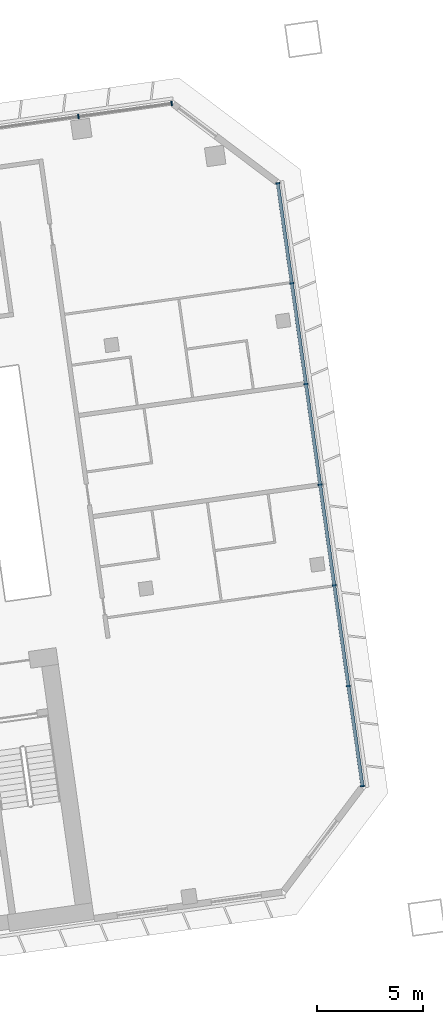
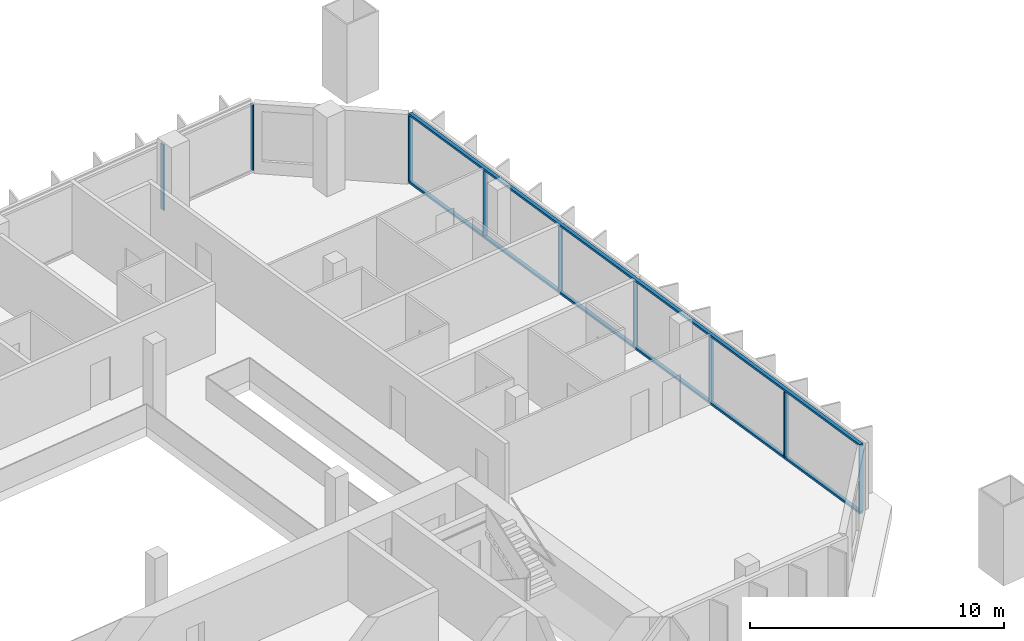
# One storey, part 11 of 26: 11 members, 2 elements without a shape of their own.
"""IFC4 building model written with IfcOpenShell, lengths in metres."""

from ifc_helpers import new_model, si_unit, direction, frame, origin, origin_2d, place, context, subcontext, project, spatial, rectangle, extrude, material, material_profile, profile_set, type_object, element, aggregate, save


model = new_model("IFC4")

# Units and contexts
model_context = context("Model", 3, precision=1e-05, world=origin(), true_north=direction((0.0, 1.0)))
body_context = subcontext(model_context, "Body", "Model", "MODEL_VIEW")
ifc_project = project(units=[si_unit("LENGTHUNIT", "METRE"), si_unit("AREAUNIT", "SQUARE_METRE"), si_unit("VOLUMEUNIT", "CUBIC_METRE"), si_unit("PLANEANGLEUNIT", "RADIAN"), si_unit("MASSUNIT", "GRAM", prefix="KILO")], contexts=[model_context])

# Site, building, storey
site_placement = place(None, origin())
site = spatial("IfcSite", under=ifc_project, at=site_placement, CompositionType="ELEMENT")
building_placement = place(site_placement, origin())
building = spatial("IfcBuilding", under=site, at=building_placement, Name="Mirante Cascada Hotel Towers", CompositionType="ELEMENT")
storey_placement = place(building_placement, frame((0.0, 0.0, 113.9)))
storey = spatial("IfcBuildingStorey", under=building, at=storey_placement, Name="L25", CompositionType="ELEMENT", Elevation=113.9)

# Curtain wall, members
ifc_material_1 = material(Name="Aluminium mullion and transom frame with clear laminated glass", Category="aluminium")
curtain_wall_type_1 = type_object("IfcCurtainWallType", Name="Ribbon curtain wall ECW1", PredefinedType="NOTDEFINED", material=ifc_material_1)
curtain_wall_1_placement = place(storey_placement, origin())
curtain_wall_1 = element("IfcCurtainWall", 1, at=curtain_wall_1_placement, inside=storey, type_object=curtain_wall_type_1, Name="Front ribbon wall T2 L25", PredefinedType="NOTDEFINED")
ifc_material_2 = material(Name="Anodised aluminium extrusion", Category="aluminium")
ifc_material_profile_1 = material_profile(ifc_material_2, rectangle(XDim=0.2, YDim=0.065, at=origin_2d()), Name="ECW1 MULLION 65x200")
ifc_profile_set_1 = profile_set([ifc_material_profile_1], Name="Anodised aluminium extrusion")
member_type_1 = type_object("IfcMemberType", Name="ECW1 mullion 65x200", PredefinedType="MULLION", material=ifc_profile_set_1)
member_1_placement = place(storey_placement, frame((94.126, 26.0476, 0.1), z_axis=(0.0, 0.0, 1.0), x_axis=(0.1391731, -0.9902681, 0.0)))
member_1 = element("IfcMember", 2, at=member_1_placement, type_object=member_type_1, Name="ECW1 mullion 1", PredefinedType="MULLION", context=body_context, shape_type="SweptSolid", body=[
    extrude(rectangle(XDim=0.2, YDim=0.065, at=origin_2d()), origin(), (0.0, 0.0, 1.0), 3.15),
])
member_2_placement = place(storey_placement, frame((89.7107, 25.427, 0.1), z_axis=(0.0, 0.0, 1.0), x_axis=(0.1391731, -0.9902681, 0.0)))
member_2 = element("IfcMember", 3, at=member_2_placement, type_object=member_type_1, Name="ECW1 mullion 2", PredefinedType="MULLION", context=body_context, shape_type="SweptSolid", body=[
    extrude(rectangle(XDim=0.2, YDim=0.065, at=origin_2d()), origin(), (0.0, 0.0, 1.0), 3.15),
])
aggregate(curtain_wall_1, [member_1, member_2])

ifc_material_3 = material(Name="Aluminium mullion and transom frame with clear laminated glass", Category="aluminium")
curtain_wall_type_2 = type_object("IfcCurtainWallType", Name="End ribbon curtain wall ECW2", PredefinedType="NOTDEFINED", material=ifc_material_3)
curtain_wall_2_placement = place(storey_placement, origin())
curtain_wall_2 = element("IfcCurtainWall", 4, at=curtain_wall_2_placement, inside=storey, type_object=curtain_wall_type_2, Name="Outer end wall T2 L25", PredefinedType="NOTDEFINED")
ifc_material_4 = material(Name="Anodised aluminium extrusion", Category="aluminium")
ifc_material_profile_2 = material_profile(ifc_material_4, rectangle(XDim=0.2, YDim=0.065, at=origin_2d()), Name="ECW2 MULLION 65x200")
ifc_profile_set_2 = profile_set([ifc_material_profile_2], Name="Anodised aluminium extrusion")
member_type_2 = type_object("IfcMemberType", Name="ECW2 mullion 65x200", PredefinedType="MULLION", material=ifc_profile_set_2)
member_3_placement = place(storey_placement, frame((103.1556, -6.2656, 0.1), z_axis=(0.0, 0.0, 1.0), x_axis=(-0.9902681, -0.1391731, 0.0)))
member_3 = element("IfcMember", 5, at=member_3_placement, type_object=member_type_2, Name="ECW2 mullion 1", PredefinedType="MULLION", context=body_context, shape_type="SweptSolid", body=[
    extrude(rectangle(XDim=0.2, YDim=0.065, at=origin_2d()), origin(), (0.0, 0.0, 1.0), 3.15),
])
member_4_placement = place(storey_placement, frame((102.4903, -1.532, 0.1), z_axis=(0.0, 0.0, 1.0), x_axis=(-0.9902681, -0.1391731, 0.0)))
member_4 = element("IfcMember", 6, at=member_4_placement, type_object=member_type_2, Name="ECW2 mullion 2", PredefinedType="MULLION", context=body_context, shape_type="SweptSolid", body=[
    extrude(rectangle(XDim=0.2, YDim=0.065, at=origin_2d()), origin(), (0.0, 0.0, 1.0), 3.15),
])
member_5_placement = place(storey_placement, frame((101.8205, 3.2338, 0.1), z_axis=(0.0, 0.0, 1.0), x_axis=(-0.9902681, -0.1391731, 0.0)))
member_5 = element("IfcMember", 7, at=member_5_placement, type_object=member_type_2, Name="ECW2 mullion 3", PredefinedType="MULLION", context=body_context, shape_type="SweptSolid", body=[
    extrude(rectangle(XDim=0.2, YDim=0.065, at=origin_2d()), origin(), (0.0, 0.0, 1.0), 3.15),
])
member_6_placement = place(storey_placement, frame((101.1508, 7.9996, 0.1), z_axis=(0.0, 0.0, 1.0), x_axis=(-0.9902681, -0.1391731, 0.0)))
member_6 = element("IfcMember", 8, at=member_6_placement, type_object=member_type_2, Name="ECW2 mullion 4", PredefinedType="MULLION", context=body_context, shape_type="SweptSolid", body=[
    extrude(rectangle(XDim=0.2, YDim=0.065, at=origin_2d()), origin(), (0.0, 0.0, 1.0), 3.15),
])
member_7_placement = place(storey_placement, frame((100.481, 12.7654, 0.1), z_axis=(0.0, 0.0, 1.0), x_axis=(-0.9902681, -0.1391731, 0.0)))
member_7 = element("IfcMember", 9, at=member_7_placement, type_object=member_type_2, Name="ECW2 mullion 5", PredefinedType="MULLION", context=body_context, shape_type="SweptSolid", body=[
    extrude(rectangle(XDim=0.2, YDim=0.065, at=origin_2d()), origin(), (0.0, 0.0, 1.0), 3.15),
])
member_8_placement = place(storey_placement, frame((99.8112, 17.5312, 0.1), z_axis=(0.0, 0.0, 1.0), x_axis=(-0.9902681, -0.1391731, 0.0)))
member_8 = element("IfcMember", 10, at=member_8_placement, type_object=member_type_2, Name="ECW2 mullion 6", PredefinedType="MULLION", context=body_context, shape_type="SweptSolid", body=[
    extrude(rectangle(XDim=0.2, YDim=0.065, at=origin_2d()), origin(), (0.0, 0.0, 1.0), 3.15),
])
member_9_placement = place(storey_placement, frame((99.1459, 22.2648, 0.1), z_axis=(0.0, 0.0, 1.0), x_axis=(-0.9902681, -0.1391731, 0.0)))
member_9 = element("IfcMember", 11, at=member_9_placement, type_object=member_type_2, Name="ECW2 mullion 7", PredefinedType="MULLION", context=body_context, shape_type="SweptSolid", body=[
    extrude(rectangle(XDim=0.2, YDim=0.065, at=origin_2d()), origin(), (0.0, 0.0, 1.0), 3.15),
])
ifc_material_5 = material(Name="Anodised aluminium extrusion", Category="aluminium")
ifc_material_profile_3 = material_profile(ifc_material_5, rectangle(XDim=0.16, YDim=0.1, at=origin_2d()), Name="ECW2 TRANSOM 100x160")
ifc_profile_set_3 = profile_set([ifc_material_profile_3], Name="Anodised aluminium extrusion")
member_type_3 = type_object("IfcMemberType", Name="ECW2 transom 100x160", PredefinedType="USERDEFINED", material=ifc_profile_set_3)
member_10_placement = place(storey_placement, frame((103.1601, -6.2978, 0.05), z_axis=(-0.1391723, 0.9902682, 0.0), x_axis=(-0.9902682, -0.1391723, 0.0)))
member_10 = element("IfcMember", 12, at=member_10_placement, type_object=member_type_3, Name="ECW2 sill transom", ObjectType="TRANSOM", PredefinedType="USERDEFINED", context=body_context, shape_type="SweptSolid", body=[
    extrude(rectangle(XDim=0.16, YDim=0.1, at=origin_2d()), origin(), (0.0, 0.0, 1.0), 28.8757),
])
member_11_placement = place(storey_placement, frame((103.1601, -6.2978, 3.3), z_axis=(-0.1391723, 0.9902682, 0.0), x_axis=(-0.9902682, -0.1391723, 0.0)))
member_11 = element("IfcMember", 13, at=member_11_placement, type_object=member_type_3, Name="ECW2 head transom", ObjectType="TRANSOM", PredefinedType="USERDEFINED", context=body_context, shape_type="SweptSolid", body=[
    extrude(rectangle(XDim=0.16, YDim=0.1, at=origin_2d()), origin(), (0.0, 0.0, 1.0), 28.8757),
])
aggregate(curtain_wall_2, [member_10, member_11, member_3, member_4, member_5, member_6, member_7, member_8, member_9])

save(model, "model.ifc")
